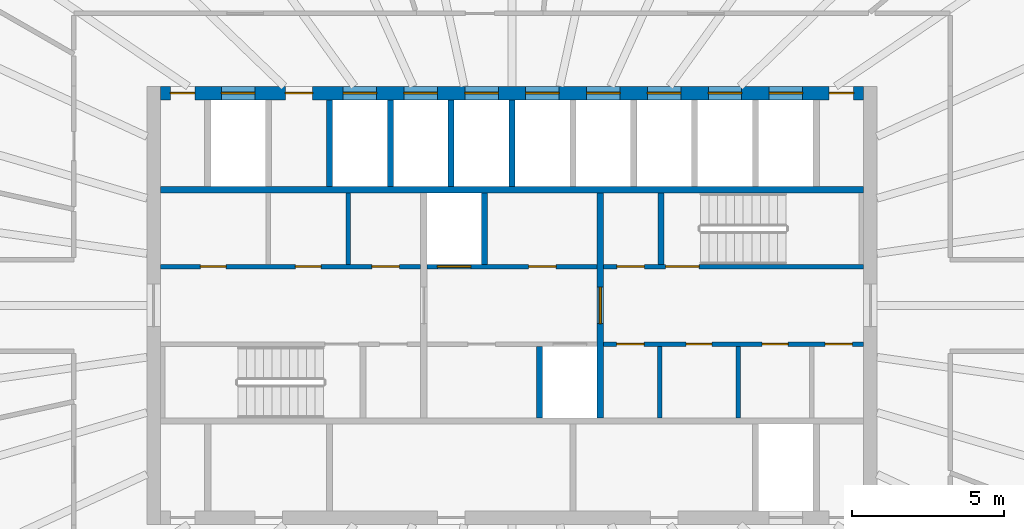
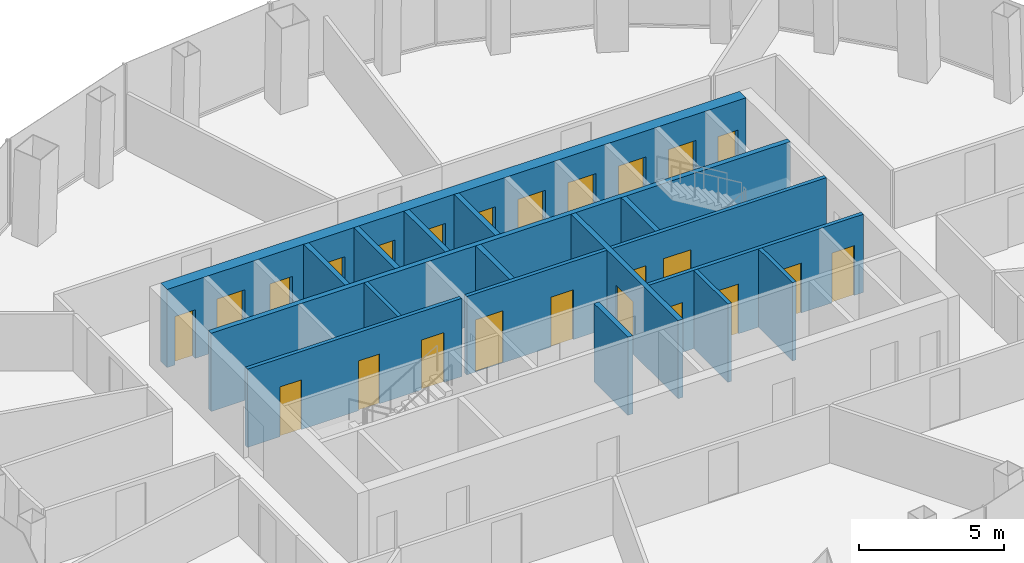
# One storey, part 8 of 10: 24 doors, 17 walls, 24 openings.
"""IFC4 building model written with IfcOpenShell, lengths in metres."""

from ifc_helpers import new_model, si_unit, direction, frame, frame_2d, origin, place, context, subcontext, project, spatial, rectangle, extrude, material, layer, layer_set, type_object, element, fill, save


model = new_model("IFC4")

# Units and contexts
model_context = context("Model", 3, precision=1e-05, world=origin(), true_north=direction((0.0, 1.0)))
body_context = subcontext(model_context, "Body", "Model", "MODEL_VIEW")
ifc_project = project(units=[si_unit("LENGTHUNIT", "METRE"), si_unit("AREAUNIT", "SQUARE_METRE"), si_unit("VOLUMEUNIT", "CUBIC_METRE"), si_unit("PLANEANGLEUNIT", "RADIAN"), si_unit("MASSUNIT", "GRAM", prefix="KILO")], contexts=[model_context])

# Site, building, storey
site_placement = place(None, origin())
site = spatial("IfcSite", under=ifc_project, at=site_placement, CompositionType="ELEMENT")
building_placement = place(site_placement, origin())
building = spatial("IfcBuilding", under=site, at=building_placement, Name="Siaravel Broadcast Tower", CompositionType="ELEMENT")
storey_placement = place(building_placement, frame((0.0, 0.0, 160.800048828125)))
storey = spatial("IfcBuildingStorey", under=building, at=storey_placement, Name="L38", CompositionType="ELEMENT", Elevation=160.800048828125)

# Walls
ifc_material_1 = material(Name="Concrete blockwork", Category="masonry")
ifc_layer_1 = layer(ifc_material_1, 0.14990234375)
ifc_layer_set_1 = layer_set([ifc_layer_1], Name="Concrete blockwork")
wall_type_1 = type_object("IfcWallType", Name="Core partition 150", PredefinedType="PARTITIONING", material=ifc_layer_set_1)
for number, where, z_axis, x_axis, name in (
    (1, (-5.385009765625, 1.35009765625, 0.0), (0.0, 0.0, 1.0), (0.0, 1.0, 0.0), "L38 core partition PNW1"),
    (2, (4.85693359375, -3.699951171875, 0.0), (0.0, 0.0, 1.0), (0.0, 1.0, 0.0), "L38 core partition PSE0"),
    (3, (7.43701171875, -3.699951171875, 0.0), (0.0, 0.0, 1.0), (0.0, 1.0, 0.0), "L38 core partition PSE1"),
):
    element("IfcWall", number, at=place(storey_placement, frame(where, z_axis=z_axis, x_axis=x_axis)), inside=storey, type_object=wall_type_1, Name=name, PredefinedType="PARTITIONING", context=body_context, shape_type="SweptSolid", body=[
        extrude(rectangle(XDim=2.349853515625, YDim=0.14990234375, at=frame_2d((1.1748046875, 0.0))), origin(), (0.0, 0.0, 1.0), 3.300048828125),
    ])

# Wall, openings, doors
ifc_material_2 = material(Name="Concrete C60/75", Category="concrete")
ifc_layer_2 = layer(ifc_material_2, 0.449951171875)
ifc_layer_set_2 = layer_set([ifc_layer_2], Name="Concrete C60/75")
wall_type_2 = type_object("IfcWallType", Name="Core wall 450", PredefinedType="SHEAR", material=ifc_layer_set_2)
wall_1_placement = place(storey_placement, frame((-11.550048828125, 6.97509765625, 0.0), z_axis=(0.0, 0.0, 1.0), x_axis=(1.0, 0.0, 0.0)))
wall_1 = element("IfcWall", 4, at=wall_1_placement, inside=storey, type_object=wall_type_2, Name="L38 core wall ON", PredefinedType="SHEAR", context=body_context, shape_type="SweptSolid", body=[
    extrude(rectangle(XDim=23.10009765625, YDim=0.449951171875, at=frame_2d((11.550048828125, 0.0))), origin(), (0.0, 0.0, 1.0), 3.300048828125),
])
opening_1_placement = place(wall_1_placement, frame((2.0, 0.0, 0.0)))
opening_1 = element("IfcOpeningElement", 5, at=opening_1_placement, cuts=wall_1, Name="Opening LD-SV2-L38", PredefinedType="OPENING", context=body_context, shape_type="SweptSolid", body=[
    extrude(rectangle(XDim=1.10009765625, YDim=2.199951171875, at=frame_2d((0.550048828125, 1.10009765625))), frame((0.0, 0.23486328125, 0.0), z_axis=(0.0, -1.0, 0.0), x_axis=(1.0, 0.0, 0.0)), (0.0, 0.0, 1.0), 0.469970703125),
])
opening_2_placement = place(wall_1_placement, frame((6.0, 0.0, 0.0)))
opening_2 = element("IfcOpeningElement", 6, at=opening_2_placement, cuts=wall_1, Name="Opening LD-HP1-L38", PredefinedType="OPENING", context=body_context, shape_type="SweptSolid", body=[
    extrude(rectangle(XDim=1.10009765625, YDim=2.199951171875, at=frame_2d((0.550048828125, 1.10009765625))), frame((0.0, 0.23486328125, 0.0), z_axis=(0.0, -1.0, 0.0), x_axis=(1.0, 0.0, 0.0)), (0.0, 0.0, 1.0), 0.469970703125),
])
opening_3_placement = place(wall_1_placement, frame((8.0, 0.0, 0.0)))
opening_3 = element("IfcOpeningElement", 7, at=opening_3_placement, cuts=wall_1, Name="Opening LD-HP2-L38", PredefinedType="OPENING", context=body_context, shape_type="SweptSolid", body=[
    extrude(rectangle(XDim=1.10009765625, YDim=2.199951171875, at=frame_2d((0.550048828125, 1.10009765625))), frame((0.0, 0.23486328125, 0.0), z_axis=(0.0, -1.0, 0.0), x_axis=(1.0, 0.0, 0.0)), (0.0, 0.0, 1.0), 0.469970703125),
])
opening_4_placement = place(wall_1_placement, frame((10.0, 0.0, 0.0)))
opening_4 = element("IfcOpeningElement", 8, at=opening_4_placement, cuts=wall_1, Name="Opening LD-HP3-L38", PredefinedType="OPENING", context=body_context, shape_type="SweptSolid", body=[
    extrude(rectangle(XDim=1.10009765625, YDim=2.199951171875, at=frame_2d((0.550048828125, 1.10009765625))), frame((0.0, 0.23486328125, 0.0), z_axis=(0.0, -1.0, 0.0), x_axis=(1.0, 0.0, 0.0)), (0.0, 0.0, 1.0), 0.469970703125),
])
opening_5_placement = place(wall_1_placement, frame((12.0, 0.0, 0.0)))
opening_5 = element("IfcOpeningElement", 9, at=opening_5_placement, cuts=wall_1, Name="Opening LD-HP4-L38", PredefinedType="OPENING", context=body_context, shape_type="SweptSolid", body=[
    extrude(rectangle(XDim=1.10009765625, YDim=2.199951171875, at=frame_2d((0.550048828125, 1.10009765625))), frame((0.0, 0.23486328125, 0.0), z_axis=(0.0, -1.0, 0.0), x_axis=(1.0, 0.0, 0.0)), (0.0, 0.0, 1.0), 0.469970703125),
])
opening_6_placement = place(wall_1_placement, frame((14.0, 0.0, 0.0)))
opening_6 = element("IfcOpeningElement", 10, at=opening_6_placement, cuts=wall_1, Name="Opening LD-HP5-L38", PredefinedType="OPENING", context=body_context, shape_type="SweptSolid", body=[
    extrude(rectangle(XDim=1.10009765625, YDim=2.199951171875, at=frame_2d((0.550048828125, 1.10009765625))), frame((0.0, 0.23486328125, 0.0), z_axis=(0.0, -1.0, 0.0), x_axis=(1.0, 0.0, 0.0)), (0.0, 0.0, 1.0), 0.469970703125),
])
opening_7_placement = place(wall_1_placement, frame((16.0, 0.0, 0.0)))
opening_7 = element("IfcOpeningElement", 11, at=opening_7_placement, cuts=wall_1, Name="Opening LD-HP6-L38", PredefinedType="OPENING", context=body_context, shape_type="SweptSolid", body=[
    extrude(rectangle(XDim=1.10009765625, YDim=2.199951171875, at=frame_2d((0.550048828125, 1.10009765625))), frame((0.0, 0.23486328125, 0.0), z_axis=(0.0, -1.0, 0.0), x_axis=(1.0, 0.0, 0.0)), (0.0, 0.0, 1.0), 0.469970703125),
])
opening_8_placement = place(wall_1_placement, frame((18.0, 0.0, 0.0)))
opening_8 = element("IfcOpeningElement", 12, at=opening_8_placement, cuts=wall_1, Name="Opening LD-HP7-L38", PredefinedType="OPENING", context=body_context, shape_type="SweptSolid", body=[
    extrude(rectangle(XDim=1.10009765625, YDim=2.199951171875, at=frame_2d((0.550048828125, 1.10009765625))), frame((0.0, 0.23486328125, 0.0), z_axis=(0.0, -1.0, 0.0), x_axis=(1.0, 0.0, 0.0)), (0.0, 0.0, 1.0), 0.469970703125),
])
opening_9_placement = place(wall_1_placement, frame((20.0, 0.0, 0.0)))
opening_9 = element("IfcOpeningElement", 13, at=opening_9_placement, cuts=wall_1, Name="Opening LD-HP8-L38", PredefinedType="OPENING", context=body_context, shape_type="SweptSolid", body=[
    extrude(rectangle(XDim=1.10009765625, YDim=2.199951171875, at=frame_2d((0.550048828125, 1.10009765625))), frame((0.0, 0.23486328125, 0.0), z_axis=(0.0, -1.0, 0.0), x_axis=(1.0, 0.0, 0.0)), (0.0, 0.0, 1.0), 0.469970703125),
])
opening_10_placement = place(wall_1_placement, frame((4.10009765625, 0.0, 0.0)))
opening_10 = element("IfcOpeningElement", 14, at=opening_10_placement, cuts=wall_1, Name="Opening L38-DFN1", PredefinedType="OPENING", context=body_context, shape_type="SweptSolid", body=[
    extrude(rectangle(XDim=0.89990234375, YDim=2.10009765625, at=frame_2d((0.449951171875, 1.050048828125))), frame((0.0, 0.23486328125, 0.0), z_axis=(0.0, -1.0, 0.0), x_axis=(1.0, 0.0, 0.0)), (0.0, 0.0, 1.0), 0.469970703125),
])
opening_11_placement = place(wall_1_placement, frame((0.324951171875, 0.0, 0.0)))
opening_11 = element("IfcOpeningElement", 15, at=opening_11_placement, cuts=wall_1, Name="Opening L38-DRNW", PredefinedType="OPENING", context=body_context, shape_type="SweptSolid", body=[
    extrude(rectangle(XDim=0.800048828125, YDim=2.050048828125, at=frame_2d((0.39990234375, 1.02490234375))), frame((0.0, 0.23486328125, 0.0), z_axis=(0.0, -1.0, 0.0), x_axis=(1.0, 0.0, 0.0)), (0.0, 0.0, 1.0), 0.469970703125),
])
opening_12_placement = place(wall_1_placement, frame((21.97509765625, 0.0, 0.0)))
opening_12 = element("IfcOpeningElement", 16, at=opening_12_placement, cuts=wall_1, Name="Opening L38-DRNE", PredefinedType="OPENING", context=body_context, shape_type="SweptSolid", body=[
    extrude(rectangle(XDim=0.800048828125, YDim=2.050048828125, at=frame_2d((0.39990234375, 1.02490234375))), frame((0.0, 0.23486328125, 0.0), z_axis=(0.0, -1.0, 0.0), x_axis=(1.0, 0.0, 0.0)), (0.0, 0.0, 1.0), 0.469970703125),
])
ifc_material_3 = material(Name="Timber veneer", Category="wood")
door_type_1 = type_object("IfcDoorType", Name="Core room door 900", OperationType="SINGLE_SWING_LEFT", PredefinedType="DOOR", material=ifc_material_3)
door_1_placement = place(opening_10_placement, origin())
door_1 = element("IfcDoor", 17, at=door_1_placement, inside=storey, type_object=door_type_1, Name="L38 door DFN1", OperationType="SINGLE_SWING_LEFT", OverallHeight=2.10009765625, OverallWidth=0.89990234375, PredefinedType="DOOR", context=body_context, shape_type="SweptSolid", body=[
    extrude(rectangle(XDim=0.89990234375, YDim=2.10009765625, at=frame_2d((0.449951171875, 1.050048828125))), frame((0.0, 0.02490234375, 0.0), z_axis=(0.0, -1.0, 0.0), x_axis=(1.0, 0.0, 0.0)), (0.0, 0.0, 1.0), 0.050048828125),
])
fill(opening_10, door_1)
ifc_material_4 = material(Name="Stainless steel 316L", Category="steel")
door_type_2 = type_object("IfcDoorType", Name="Lift landing door 1100", OperationType="DOUBLE_DOOR_SLIDING", PredefinedType="DOOR", material=ifc_material_4)
door_2_placement = place(opening_2_placement, origin())
door_2 = element("IfcDoor", 18, at=door_2_placement, inside=storey, type_object=door_type_2, Name="Landing door HP1 L38", OperationType="DOUBLE_DOOR_SLIDING", OverallHeight=2.199951171875, OverallWidth=1.10009765625, PredefinedType="DOOR", context=body_context, shape_type="SweptSolid", body=[
    extrude(rectangle(XDim=1.10009765625, YDim=2.199951171875, at=frame_2d((0.550048828125, 1.10009765625))), frame((0.0, 0.02490234375, 0.0), z_axis=(0.0, -1.0, 0.0), x_axis=(1.0, 0.0, 0.0)), (0.0, 0.0, 1.0), 0.050048828125),
])
fill(opening_2, door_2)
door_3_placement = place(opening_3_placement, origin())
door_3 = element("IfcDoor", 19, at=door_3_placement, inside=storey, type_object=door_type_2, Name="Landing door HP2 L38", OperationType="DOUBLE_DOOR_SLIDING", OverallHeight=2.199951171875, OverallWidth=1.10009765625, PredefinedType="DOOR", context=body_context, shape_type="SweptSolid", body=[
    extrude(rectangle(XDim=1.10009765625, YDim=2.199951171875, at=frame_2d((0.550048828125, 1.10009765625))), frame((0.0, 0.02490234375, 0.0), z_axis=(0.0, -1.0, 0.0), x_axis=(1.0, 0.0, 0.0)), (0.0, 0.0, 1.0), 0.050048828125),
])
fill(opening_3, door_3)
door_4_placement = place(opening_4_placement, origin())
door_4 = element("IfcDoor", 20, at=door_4_placement, inside=storey, type_object=door_type_2, Name="Landing door HP3 L38", OperationType="DOUBLE_DOOR_SLIDING", OverallHeight=2.199951171875, OverallWidth=1.10009765625, PredefinedType="DOOR", context=body_context, shape_type="SweptSolid", body=[
    extrude(rectangle(XDim=1.10009765625, YDim=2.199951171875, at=frame_2d((0.550048828125, 1.10009765625))), frame((0.0, 0.02490234375, 0.0), z_axis=(0.0, -1.0, 0.0), x_axis=(1.0, 0.0, 0.0)), (0.0, 0.0, 1.0), 0.050048828125),
])
fill(opening_4, door_4)
door_5_placement = place(opening_5_placement, origin())
door_5 = element("IfcDoor", 21, at=door_5_placement, inside=storey, type_object=door_type_2, Name="Landing door HP4 L38", OperationType="DOUBLE_DOOR_SLIDING", OverallHeight=2.199951171875, OverallWidth=1.10009765625, PredefinedType="DOOR", context=body_context, shape_type="SweptSolid", body=[
    extrude(rectangle(XDim=1.10009765625, YDim=2.199951171875, at=frame_2d((0.550048828125, 1.10009765625))), frame((0.0, 0.02490234375, 0.0), z_axis=(0.0, -1.0, 0.0), x_axis=(1.0, 0.0, 0.0)), (0.0, 0.0, 1.0), 0.050048828125),
])
fill(opening_5, door_5)
door_6_placement = place(opening_6_placement, origin())
door_6 = element("IfcDoor", 22, at=door_6_placement, inside=storey, type_object=door_type_2, Name="Landing door HP5 L38", OperationType="DOUBLE_DOOR_SLIDING", OverallHeight=2.199951171875, OverallWidth=1.10009765625, PredefinedType="DOOR", context=body_context, shape_type="SweptSolid", body=[
    extrude(rectangle(XDim=1.10009765625, YDim=2.199951171875, at=frame_2d((0.550048828125, 1.10009765625))), frame((0.0, 0.02490234375, 0.0), z_axis=(0.0, -1.0, 0.0), x_axis=(1.0, 0.0, 0.0)), (0.0, 0.0, 1.0), 0.050048828125),
])
fill(opening_6, door_6)
door_7_placement = place(opening_7_placement, origin())
door_7 = element("IfcDoor", 23, at=door_7_placement, inside=storey, type_object=door_type_2, Name="Landing door HP6 L38", OperationType="DOUBLE_DOOR_SLIDING", OverallHeight=2.199951171875, OverallWidth=1.10009765625, PredefinedType="DOOR", context=body_context, shape_type="SweptSolid", body=[
    extrude(rectangle(XDim=1.10009765625, YDim=2.199951171875, at=frame_2d((0.550048828125, 1.10009765625))), frame((0.0, 0.02490234375, 0.0), z_axis=(0.0, -1.0, 0.0), x_axis=(1.0, 0.0, 0.0)), (0.0, 0.0, 1.0), 0.050048828125),
])
fill(opening_7, door_7)
door_8_placement = place(opening_8_placement, origin())
door_8 = element("IfcDoor", 24, at=door_8_placement, inside=storey, type_object=door_type_2, Name="Landing door HP7 L38", OperationType="DOUBLE_DOOR_SLIDING", OverallHeight=2.199951171875, OverallWidth=1.10009765625, PredefinedType="DOOR", context=body_context, shape_type="SweptSolid", body=[
    extrude(rectangle(XDim=1.10009765625, YDim=2.199951171875, at=frame_2d((0.550048828125, 1.10009765625))), frame((0.0, 0.02490234375, 0.0), z_axis=(0.0, -1.0, 0.0), x_axis=(1.0, 0.0, 0.0)), (0.0, 0.0, 1.0), 0.050048828125),
])
fill(opening_8, door_8)
door_9_placement = place(opening_9_placement, origin())
door_9 = element("IfcDoor", 25, at=door_9_placement, inside=storey, type_object=door_type_2, Name="Landing door HP8 L38", OperationType="DOUBLE_DOOR_SLIDING", OverallHeight=2.199951171875, OverallWidth=1.10009765625, PredefinedType="DOOR", context=body_context, shape_type="SweptSolid", body=[
    extrude(rectangle(XDim=1.10009765625, YDim=2.199951171875, at=frame_2d((0.550048828125, 1.10009765625))), frame((0.0, 0.02490234375, 0.0), z_axis=(0.0, -1.0, 0.0), x_axis=(1.0, 0.0, 0.0)), (0.0, 0.0, 1.0), 0.050048828125),
])
fill(opening_9, door_9)
ifc_material_5 = material(Name="Steel", Category="steel")
door_type_3 = type_object("IfcDoorType", Name="Riser door 800", OperationType="SINGLE_SWING_LEFT", PredefinedType="DOOR", material=ifc_material_5)
door_10_placement = place(opening_11_placement, origin())
door_10 = element("IfcDoor", 26, at=door_10_placement, inside=storey, type_object=door_type_3, Name="L38 door DRNW", OperationType="SINGLE_SWING_LEFT", OverallHeight=2.050048828125, OverallWidth=0.800048828125, PredefinedType="DOOR", context=body_context, shape_type="SweptSolid", body=[
    extrude(rectangle(XDim=0.800048828125, YDim=2.050048828125, at=frame_2d((0.39990234375, 1.02490234375))), frame((0.0, 0.02490234375, 0.0), z_axis=(0.0, -1.0, 0.0), x_axis=(1.0, 0.0, 0.0)), (0.0, 0.0, 1.0), 0.050048828125),
])
fill(opening_11, door_10)
door_11_placement = place(opening_12_placement, origin())
door_11 = element("IfcDoor", 27, at=door_11_placement, inside=storey, type_object=door_type_3, Name="L38 door DRNE", OperationType="SINGLE_SWING_LEFT", OverallHeight=2.050048828125, OverallWidth=0.800048828125, PredefinedType="DOOR", context=body_context, shape_type="SweptSolid", body=[
    extrude(rectangle(XDim=0.800048828125, YDim=2.050048828125, at=frame_2d((0.39990234375, 1.02490234375))), frame((0.0, 0.02490234375, 0.0), z_axis=(0.0, -1.0, 0.0), x_axis=(1.0, 0.0, 0.0)), (0.0, 0.0, 1.0), 0.050048828125),
])
fill(opening_12, door_11)
door_type_4 = type_object("IfcDoorType", Name="Service lift landing door 1100", OperationType="DOUBLE_DOOR_SLIDING", PredefinedType="DOOR", material=ifc_material_4)
door_12_placement = place(opening_1_placement, origin())
door_12 = element("IfcDoor", 28, at=door_12_placement, inside=storey, type_object=door_type_4, Name="Landing door SV2 L38", OperationType="DOUBLE_DOOR_SLIDING", OverallHeight=2.199951171875, OverallWidth=1.10009765625, PredefinedType="DOOR", context=body_context, shape_type="SweptSolid", body=[
    extrude(rectangle(XDim=1.10009765625, YDim=2.199951171875, at=frame_2d((0.550048828125, 1.10009765625))), frame((0.0, 0.02490234375, 0.0), z_axis=(0.0, -1.0, 0.0), x_axis=(1.0, 0.0, 0.0)), (0.0, 0.0, 1.0), 0.050048828125),
])
fill(opening_1, door_12)

ifc_material_6 = material(Name="Gypsum board partition", Category="gypsum")
ifc_layer_3 = layer(ifc_material_6, 0.14990234375)
ifc_layer_set_3 = layer_set([ifc_layer_3], Name="Gypsum board partition")
wall_type_3 = type_object("IfcWallType", Name="Corridor wall 150", PredefinedType="PARTITIONING", material=ifc_layer_set_3)
wall_2_placement = place(storey_placement, frame((3.0, -1.27490234375, 0.0), z_axis=(0.0, 0.0, 1.0), x_axis=(1.0, 0.0, 0.0)))
wall_2 = element("IfcWall", 29, at=wall_2_placement, inside=storey, type_object=wall_type_3, Name="L38 core partition CSE", PredefinedType="PARTITIONING", context=body_context, shape_type="SweptSolid", body=[
    extrude(rectangle(XDim=8.550048828125, YDim=0.14990234375, at=frame_2d((4.27490234375, 0.0))), origin(), (0.0, 0.0, 1.0), 3.300048828125),
])
opening_13_placement = place(wall_2_placement, frame((0.44091796875, 0.0, 0.0)))
opening_13 = element("IfcOpeningElement", 30, at=opening_13_placement, cuts=wall_2, Name="Opening L38-DSE0", PredefinedType="OPENING", context=body_context, shape_type="SweptSolid", body=[
    extrude(rectangle(XDim=0.89990234375, YDim=2.10009765625, at=frame_2d((0.449951171875, 1.050048828125))), frame((0.0, 0.0849609375, 0.0), z_axis=(0.0, -1.0, 0.0), x_axis=(1.0, 0.0, 0.0)), (0.0, 0.0, 1.0), 0.169921875),
])
opening_14_placement = place(wall_2_placement, frame((2.721923828125, 0.0, 0.0)))
opening_14 = element("IfcOpeningElement", 31, at=opening_14_placement, cuts=wall_2, Name="Opening L38-DSE1", PredefinedType="OPENING", context=body_context, shape_type="SweptSolid", body=[
    extrude(rectangle(XDim=0.85009765625, YDim=2.10009765625, at=frame_2d((0.425048828125, 1.050048828125))), frame((0.0, 0.0849609375, 0.0), z_axis=(0.0, -1.0, 0.0), x_axis=(1.0, 0.0, 0.0)), (0.0, 0.0, 1.0), 0.169921875),
])
opening_15_placement = place(wall_2_placement, frame((5.220947265625, 0.0, 0.0)))
opening_15 = element("IfcOpeningElement", 32, at=opening_15_placement, cuts=wall_2, Name="Opening L38-DSE2", PredefinedType="OPENING", context=body_context, shape_type="SweptSolid", body=[
    extrude(rectangle(XDim=0.85009765625, YDim=2.10009765625, at=frame_2d((0.425048828125, 1.050048828125))), frame((0.0, 0.0849609375, 0.0), z_axis=(0.0, -1.0, 0.0), x_axis=(1.0, 0.0, 0.0)), (0.0, 0.0, 1.0), 0.169921875),
])
opening_16_placement = place(wall_2_placement, frame((7.2900390625, 0.0, 0.0)))
opening_16 = element("IfcOpeningElement", 33, at=opening_16_placement, cuts=wall_2, Name="Opening L38-DSE3", PredefinedType="OPENING", context=body_context, shape_type="SweptSolid", body=[
    extrude(rectangle(XDim=0.89990234375, YDim=2.10009765625, at=frame_2d((0.449951171875, 1.050048828125))), frame((0.0, 0.0849609375, 0.0), z_axis=(0.0, -1.0, 0.0), x_axis=(1.0, 0.0, 0.0)), (0.0, 0.0, 1.0), 0.169921875),
])
door_13_placement = place(opening_13_placement, origin())
door_13 = element("IfcDoor", 34, at=door_13_placement, inside=storey, type_object=door_type_1, Name="L38 door DSE0", OperationType="SINGLE_SWING_LEFT", OverallHeight=2.10009765625, OverallWidth=0.89990234375, PredefinedType="DOOR", context=body_context, shape_type="SweptSolid", body=[
    extrude(rectangle(XDim=0.89990234375, YDim=2.10009765625, at=frame_2d((0.449951171875, 1.050048828125))), frame((0.0, 0.02490234375, 0.0), z_axis=(0.0, -1.0, 0.0), x_axis=(1.0, 0.0, 0.0)), (0.0, 0.0, 1.0), 0.050048828125),
])
fill(opening_13, door_13)
door_14_placement = place(opening_16_placement, origin())
door_14 = element("IfcDoor", 35, at=door_14_placement, inside=storey, type_object=door_type_1, Name="L38 door DSE3", OperationType="SINGLE_SWING_LEFT", OverallHeight=2.10009765625, OverallWidth=0.89990234375, PredefinedType="DOOR", context=body_context, shape_type="SweptSolid", body=[
    extrude(rectangle(XDim=0.89990234375, YDim=2.10009765625, at=frame_2d((0.449951171875, 1.050048828125))), frame((0.0, 0.02490234375, 0.0), z_axis=(0.0, -1.0, 0.0), x_axis=(1.0, 0.0, 0.0)), (0.0, 0.0, 1.0), 0.050048828125),
])
fill(opening_16, door_14)
door_type_5 = type_object("IfcDoorType", Name="Core toilet door 850", OperationType="SINGLE_SWING_LEFT", PredefinedType="DOOR", material=ifc_material_3)
door_15_placement = place(opening_14_placement, origin())
door_15 = element("IfcDoor", 36, at=door_15_placement, inside=storey, type_object=door_type_5, Name="L38 door DSE1", OperationType="SINGLE_SWING_LEFT", OverallHeight=2.10009765625, OverallWidth=0.85009765625, PredefinedType="DOOR", context=body_context, shape_type="SweptSolid", body=[
    extrude(rectangle(XDim=0.85009765625, YDim=2.10009765625, at=frame_2d((0.425048828125, 1.050048828125))), frame((0.0, 0.02490234375, 0.0), z_axis=(0.0, -1.0, 0.0), x_axis=(1.0, 0.0, 0.0)), (0.0, 0.0, 1.0), 0.050048828125),
])
fill(opening_14, door_15)
door_16_placement = place(opening_15_placement, origin())
door_16 = element("IfcDoor", 37, at=door_16_placement, inside=storey, type_object=door_type_5, Name="L38 door DSE2", OperationType="SINGLE_SWING_LEFT", OverallHeight=2.10009765625, OverallWidth=0.85009765625, PredefinedType="DOOR", context=body_context, shape_type="SweptSolid", body=[
    extrude(rectangle(XDim=0.85009765625, YDim=2.10009765625, at=frame_2d((0.425048828125, 1.050048828125))), frame((0.0, 0.02490234375, 0.0), z_axis=(0.0, -1.0, 0.0), x_axis=(1.0, 0.0, 0.0)), (0.0, 0.0, 1.0), 0.050048828125),
])
fill(opening_15, door_16)

wall_3_placement = place(storey_placement, frame((-11.550048828125, 1.27490234375, 0.0), z_axis=(0.0, 0.0, 1.0), x_axis=(1.0, 0.0, 0.0)))
wall_3 = element("IfcWall", 38, at=wall_3_placement, inside=storey, type_object=wall_type_3, Name="L38 core partition CNW", PredefinedType="PARTITIONING", context=body_context, shape_type="SweptSolid", body=[
    extrude(rectangle(XDim=8.550048828125, YDim=0.14990234375, at=frame_2d((4.27490234375, 0.0))), origin(), (0.0, 0.0, 1.0), 3.300048828125),
])
opening_17_placement = place(wall_3_placement, frame((1.3076171875, 0.0, 0.0)))
opening_17 = element("IfcOpeningElement", 39, at=opening_17_placement, cuts=wall_3, Name="Opening L38-DNW0", PredefinedType="OPENING", context=body_context, shape_type="SweptSolid", body=[
    extrude(rectangle(XDim=0.85009765625, YDim=2.10009765625, at=frame_2d((0.425048828125, 1.050048828125))), frame((0.0, 0.0849609375, 0.0), z_axis=(0.0, -1.0, 0.0), x_axis=(1.0, 0.0, 0.0)), (0.0, 0.0, 1.0), 0.169921875),
])
opening_18_placement = place(wall_3_placement, frame((4.427490234375, 0.0, 0.0)))
opening_18 = element("IfcOpeningElement", 40, at=opening_18_placement, cuts=wall_3, Name="Opening L38-DNW1", PredefinedType="OPENING", context=body_context, shape_type="SweptSolid", body=[
    extrude(rectangle(XDim=0.85009765625, YDim=2.10009765625, at=frame_2d((0.425048828125, 1.050048828125))), frame((0.0, 0.0849609375, 0.0), z_axis=(0.0, -1.0, 0.0), x_axis=(1.0, 0.0, 0.0)), (0.0, 0.0, 1.0), 0.169921875),
])
opening_19_placement = place(wall_3_placement, frame((6.945068359375, 0.0, 0.0)))
opening_19 = element("IfcOpeningElement", 41, at=opening_19_placement, cuts=wall_3, Name="Opening L38-DNW2", PredefinedType="OPENING", context=body_context, shape_type="SweptSolid", body=[
    extrude(rectangle(XDim=0.89990234375, YDim=2.10009765625, at=frame_2d((0.449951171875, 1.050048828125))), frame((0.0, 0.0849609375, 0.0), z_axis=(0.0, -1.0, 0.0), x_axis=(1.0, 0.0, 0.0)), (0.0, 0.0, 1.0), 0.169921875),
])
door_17_placement = place(opening_19_placement, origin())
door_17 = element("IfcDoor", 42, at=door_17_placement, inside=storey, type_object=door_type_1, Name="L38 door DNW2", OperationType="SINGLE_SWING_LEFT", OverallHeight=2.10009765625, OverallWidth=0.89990234375, PredefinedType="DOOR", context=body_context, shape_type="SweptSolid", body=[
    extrude(rectangle(XDim=0.89990234375, YDim=2.10009765625, at=frame_2d((0.449951171875, 1.050048828125))), frame((0.0, 0.02490234375, 0.0), z_axis=(0.0, -1.0, 0.0), x_axis=(1.0, 0.0, 0.0)), (0.0, 0.0, 1.0), 0.050048828125),
])
fill(opening_19, door_17)
door_18_placement = place(opening_17_placement, origin())
door_18 = element("IfcDoor", 43, at=door_18_placement, inside=storey, type_object=door_type_5, Name="L38 door DNW0", OperationType="SINGLE_SWING_LEFT", OverallHeight=2.10009765625, OverallWidth=0.85009765625, PredefinedType="DOOR", context=body_context, shape_type="SweptSolid", body=[
    extrude(rectangle(XDim=0.85009765625, YDim=2.10009765625, at=frame_2d((0.425048828125, 1.050048828125))), frame((0.0, 0.02490234375, 0.0), z_axis=(0.0, -1.0, 0.0), x_axis=(1.0, 0.0, 0.0)), (0.0, 0.0, 1.0), 0.050048828125),
])
fill(opening_17, door_18)
door_19_placement = place(opening_18_placement, origin())
door_19 = element("IfcDoor", 44, at=door_19_placement, inside=storey, type_object=door_type_5, Name="L38 door DNW1", OperationType="SINGLE_SWING_LEFT", OverallHeight=2.10009765625, OverallWidth=0.85009765625, PredefinedType="DOOR", context=body_context, shape_type="SweptSolid", body=[
    extrude(rectangle(XDim=0.85009765625, YDim=2.10009765625, at=frame_2d((0.425048828125, 1.050048828125))), frame((0.0, 0.02490234375, 0.0), z_axis=(0.0, -1.0, 0.0), x_axis=(1.0, 0.0, 0.0)), (0.0, 0.0, 1.0), 0.050048828125),
])
fill(opening_18, door_19)

ifc_layer_4 = layer(ifc_material_2, 0.14990234375)
ifc_layer_set_4 = layer_set([ifc_layer_4], Name="Concrete C60/75")
wall_type_4 = type_object("IfcWallType", Name="Shaft wall 150", PredefinedType="SHEAR", material=ifc_layer_set_4)
wall_4_placement = place(storey_placement, frame((-2.800048828125, 1.27490234375, 0.0), z_axis=(0.0, 0.0, 1.0), x_axis=(1.0, 0.0, 0.0)))
wall_4 = element("IfcWall", 45, at=wall_4_placement, inside=storey, type_object=wall_type_4, Name="L38 core wall CNM", PredefinedType="SHEAR", context=body_context, shape_type="SweptSolid", body=[
    extrude(rectangle(XDim=5.60009765625, YDim=0.14990234375, at=frame_2d((2.800048828125, 0.0))), origin(), (0.0, 0.0, 1.0), 3.300048828125),
])
opening_20_placement = place(wall_4_placement, frame((0.35009765625, 0.0, 0.0)))
opening_20 = element("IfcOpeningElement", 46, at=opening_20_placement, cuts=wall_4, Name="Opening LD-FL1-L38", PredefinedType="OPENING", context=body_context, shape_type="SweptSolid", body=[
    extrude(rectangle(XDim=1.10009765625, YDim=2.199951171875, at=frame_2d((0.550048828125, 1.10009765625))), frame((0.0, 0.0849609375, 0.0), z_axis=(0.0, -1.0, 0.0), x_axis=(1.0, 0.0, 0.0)), (0.0, 0.0, 1.0), 0.169921875),
])
opening_21_placement = place(wall_4_placement, frame((3.35009765625, 0.0, 0.0)))
opening_21 = element("IfcOpeningElement", 47, at=opening_21_placement, cuts=wall_4, Name="Opening L38-DNM0", PredefinedType="OPENING", context=body_context, shape_type="SweptSolid", body=[
    extrude(rectangle(XDim=0.89990234375, YDim=2.10009765625, at=frame_2d((0.449951171875, 1.050048828125))), frame((0.0, 0.0849609375, 0.0), z_axis=(0.0, -1.0, 0.0), x_axis=(1.0, 0.0, 0.0)), (0.0, 0.0, 1.0), 0.169921875),
])
door_20_placement = place(opening_21_placement, origin())
door_20 = element("IfcDoor", 48, at=door_20_placement, inside=storey, type_object=door_type_1, Name="L38 door DNM0", OperationType="SINGLE_SWING_LEFT", OverallHeight=2.10009765625, OverallWidth=0.89990234375, PredefinedType="DOOR", context=body_context, shape_type="SweptSolid", body=[
    extrude(rectangle(XDim=0.89990234375, YDim=2.10009765625, at=frame_2d((0.449951171875, 1.050048828125))), frame((0.0, 0.02490234375, 0.0), z_axis=(0.0, -1.0, 0.0), x_axis=(1.0, 0.0, 0.0)), (0.0, 0.0, 1.0), 0.050048828125),
])
fill(opening_21, door_20)
door_type_6 = type_object("IfcDoorType", Name="Firefighting lift landing door 1100", OperationType="DOUBLE_DOOR_SLIDING", PredefinedType="DOOR", material=ifc_material_4)
door_21_placement = place(opening_20_placement, origin())
door_21 = element("IfcDoor", 49, at=door_21_placement, inside=storey, type_object=door_type_6, Name="Landing door FL1 L38", OperationType="DOUBLE_DOOR_SLIDING", OverallHeight=2.199951171875, OverallWidth=1.10009765625, PredefinedType="DOOR", context=body_context, shape_type="SweptSolid", body=[
    extrude(rectangle(XDim=1.10009765625, YDim=2.199951171875, at=frame_2d((0.550048828125, 1.10009765625))), frame((0.0, 0.02490234375, 0.0), z_axis=(0.0, -1.0, 0.0), x_axis=(1.0, 0.0, 0.0)), (0.0, 0.0, 1.0), 0.050048828125),
])
fill(opening_20, door_21)

wall_5_placement = place(storey_placement, frame((3.0, 1.27490234375, 0.0), z_axis=(0.0, 0.0, 1.0), x_axis=(1.0, 0.0, 0.0)))
wall_5 = element("IfcWall", 50, at=wall_5_placement, inside=storey, type_object=wall_type_4, Name="L38 core wall CNE", PredefinedType="SHEAR", context=body_context, shape_type="SweptSolid", body=[
    extrude(rectangle(XDim=8.550048828125, YDim=0.14990234375, at=frame_2d((4.27490234375, 0.0))), origin(), (0.0, 0.0, 1.0), 3.300048828125),
])
opening_22_placement = place(wall_5_placement, frame((2.050048828125, 0.0, 0.0)))
opening_22 = element("IfcOpeningElement", 51, at=opening_22_placement, cuts=wall_5, Name="Opening L38-DS-2", PredefinedType="OPENING", context=body_context, shape_type="SweptSolid", body=[
    extrude(rectangle(XDim=1.10009765625, YDim=2.14990234375, at=frame_2d((0.550048828125, 1.074951171875))), frame((0.0, 0.0849609375, 0.0), z_axis=(0.0, -1.0, 0.0), x_axis=(1.0, 0.0, 0.0)), (0.0, 0.0, 1.0), 0.169921875),
])
opening_23_placement = place(wall_5_placement, frame((0.449951171875, 0.0, 0.0)))
opening_23 = element("IfcOpeningElement", 52, at=opening_23_placement, cuts=wall_5, Name="Opening L38-DNE0", PredefinedType="OPENING", context=body_context, shape_type="SweptSolid", body=[
    extrude(rectangle(XDim=0.89990234375, YDim=2.10009765625, at=frame_2d((0.449951171875, 1.050048828125))), frame((0.0, 0.0849609375, 0.0), z_axis=(0.0, -1.0, 0.0), x_axis=(1.0, 0.0, 0.0)), (0.0, 0.0, 1.0), 0.169921875),
])
door_22_placement = place(opening_23_placement, origin())
door_22 = element("IfcDoor", 53, at=door_22_placement, inside=storey, type_object=door_type_1, Name="L38 door DNE0", OperationType="SINGLE_SWING_LEFT", OverallHeight=2.10009765625, OverallWidth=0.89990234375, PredefinedType="DOOR", context=body_context, shape_type="SweptSolid", body=[
    extrude(rectangle(XDim=0.89990234375, YDim=2.10009765625, at=frame_2d((0.449951171875, 1.050048828125))), frame((0.0, 0.02490234375, 0.0), z_axis=(0.0, -1.0, 0.0), x_axis=(1.0, 0.0, 0.0)), (0.0, 0.0, 1.0), 0.050048828125),
])
fill(opening_23, door_22)
door_type_7 = type_object("IfcDoorType", Name="Stair door 1100", OperationType="SINGLE_SWING_LEFT", PredefinedType="DOOR", material=ifc_material_5)
door_23_placement = place(opening_22_placement, origin())
door_23 = element("IfcDoor", 54, at=door_23_placement, inside=storey, type_object=door_type_7, Name="L38 door DS-2", OperationType="SINGLE_SWING_LEFT", OverallHeight=2.14990234375, OverallWidth=1.10009765625, PredefinedType="DOOR", context=body_context, shape_type="SweptSolid", body=[
    extrude(rectangle(XDim=1.10009765625, YDim=2.14990234375, at=frame_2d((0.550048828125, 1.074951171875))), frame((0.0, 0.02490234375, 0.0), z_axis=(0.0, -1.0, 0.0), x_axis=(1.0, 0.0, 0.0)), (0.0, 0.0, 1.0), 0.050048828125),
])
fill(opening_22, door_23)

# Walls
ifc_layer_5 = layer(ifc_material_2, 0.199951171875)
ifc_layer_set_5 = layer_set([ifc_layer_5], Name="Concrete C60/75")
wall_type_5 = type_object("IfcWallType", Name="Shaft wall 200", PredefinedType="SHEAR", material=ifc_layer_set_5)
wall_6_placement = place(storey_placement, frame((-11.550048828125, 3.800048828125, 0.0), z_axis=(0.0, 0.0, 1.0), x_axis=(1.0, 0.0, 0.0)))
element("IfcWall", 55, at=wall_6_placement, inside=storey, type_object=wall_type_5, Name="L38 core wall BN", PredefinedType="SHEAR", context=body_context, shape_type="SweptSolid", body=[
    extrude(rectangle(XDim=23.10009765625, YDim=0.199951171875, at=frame_2d((11.550048828125, 0.0))), origin(), (0.0, 0.0, 1.0), 3.300048828125),
])
for number, where, z_axis, x_axis, name in (
    (56, (-6.0, 3.89990234375, 0.0), (0.0, 0.0, 1.0), (0.0, 1.0, 0.0), "L38 core wall SWN2"),
    (57, (-4.0, 3.89990234375, 0.0), (0.0, 0.0, 1.0), (0.0, 1.0, 0.0), "L38 core wall SWN3"),
    (58, (-2.0, 3.89990234375, 0.0), (0.0, 0.0, 1.0), (0.0, 1.0, 0.0), "L38 core wall SWN4"),
    (59, (0.0, 3.89990234375, 0.0), (0.0, 0.0, 1.0), (0.0, 1.0, 0.0), "L38 core wall SWN5"),
):
    element("IfcWall", number, at=place(storey_placement, frame(where, z_axis=z_axis, x_axis=x_axis)), inside=storey, type_object=wall_type_5, Name=name, PredefinedType="SHEAR", context=body_context, shape_type="SweptSolid", body=[
        extrude(rectangle(XDim=2.85009765625, YDim=0.199951171875, at=frame_2d((1.425048828125, 0.0))), origin(), (0.0, 0.0, 1.0), 3.300048828125),
    ])

# Wall, opening, door
wall_7_placement = place(storey_placement, frame((2.89990234375, -3.699951171875, 0.0), z_axis=(0.0, 0.0, 1.0), x_axis=(0.0, 1.0, 0.0)))
wall_7 = element("IfcWall", 60, at=wall_7_placement, inside=storey, type_object=wall_type_5, Name="L38 core wall LE", PredefinedType="SHEAR", context=body_context, shape_type="SweptSolid", body=[
    extrude(rectangle(XDim=7.39990234375, YDim=0.199951171875, at=frame_2d((3.699951171875, 0.0))), origin(), (0.0, 0.0, 1.0), 3.300048828125),
])
opening_24_placement = place(wall_7_placement, frame((3.10009765625, 0.0, 0.0)))
opening_24 = element("IfcOpeningElement", 61, at=opening_24_placement, cuts=wall_7, Name="Opening L38-DL-E", PredefinedType="OPENING", context=body_context, shape_type="SweptSolid", body=[
    extrude(rectangle(XDim=1.199951171875, YDim=2.199951171875, at=frame_2d((0.60009765625, 1.10009765625))), frame((0.0, 0.10986328125, 0.0), z_axis=(0.0, -1.0, 0.0), x_axis=(1.0, 0.0, 0.0)), (0.0, 0.0, 1.0), 0.219970703125),
])
door_type_8 = type_object("IfcDoorType", Name="Firefighting lobby door 1200", OperationType="SINGLE_SWING_LEFT", PredefinedType="DOOR", material=ifc_material_5)
door_24_placement = place(opening_24_placement, origin())
door_24 = element("IfcDoor", 62, at=door_24_placement, inside=storey, type_object=door_type_8, Name="L38 door DL-E", OperationType="SINGLE_SWING_LEFT", OverallHeight=2.199951171875, OverallWidth=1.199951171875, PredefinedType="DOOR", context=body_context, shape_type="SweptSolid", body=[
    extrude(rectangle(XDim=1.199951171875, YDim=2.199951171875, at=frame_2d((0.60009765625, 1.10009765625))), frame((0.0, 0.02490234375, 0.0), z_axis=(0.0, -1.0, 0.0), x_axis=(1.0, 0.0, 0.0)), (0.0, 0.0, 1.0), 0.050048828125),
])
fill(opening_24, door_24)

# Walls
for number, where, z_axis, x_axis, name in (
    (63, (-0.89990234375, 1.35009765625, 0.0), (0.0, 0.0, 1.0), (0.0, 1.0, 0.0), "L38 core wall FF1E"),
    (64, (0.89990234375, -3.699951171875, 0.0), (0.0, 0.0, 1.0), (0.0, 1.0, 0.0), "L38 core wall FF2W"),
    (65, (4.89990234375, 1.35009765625, 0.0), (0.0, 0.0, 1.0), (0.0, 1.0, 0.0), "L38 core wall ST2W"),
):
    element("IfcWall", number, at=place(storey_placement, frame(where, z_axis=z_axis, x_axis=x_axis)), inside=storey, type_object=wall_type_5, Name=name, PredefinedType="SHEAR", context=body_context, shape_type="SweptSolid", body=[
        extrude(rectangle(XDim=2.349853515625, YDim=0.199951171875, at=frame_2d((1.1748046875, 0.0))), origin(), (0.0, 0.0, 1.0), 3.300048828125),
    ])

save(model, "model.ifc")
